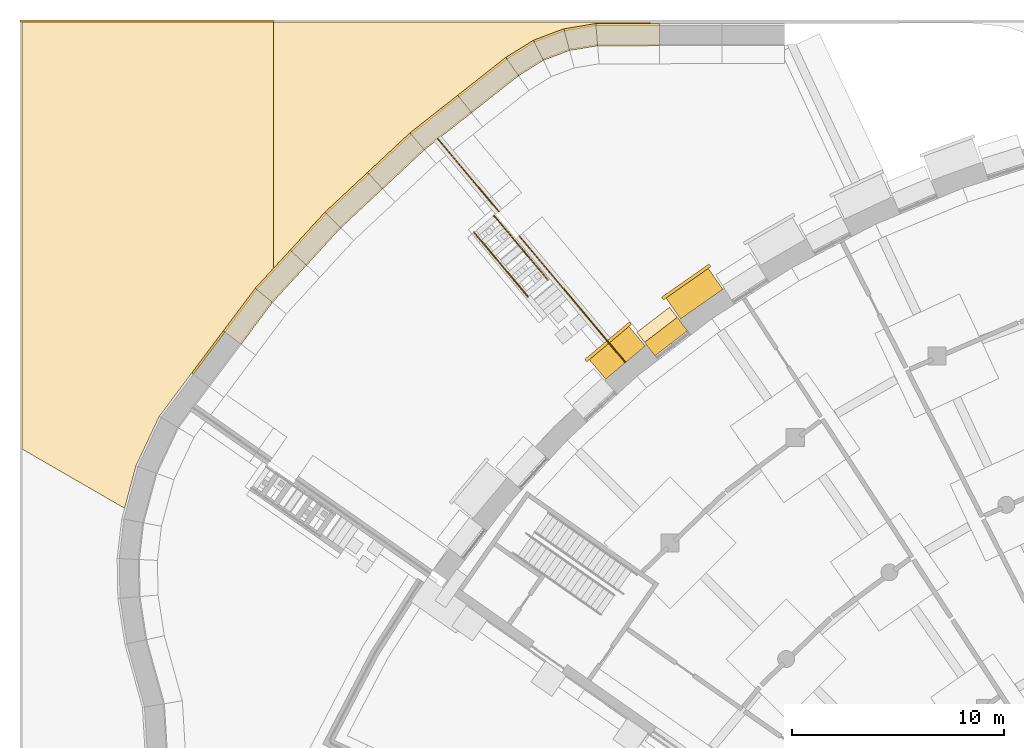
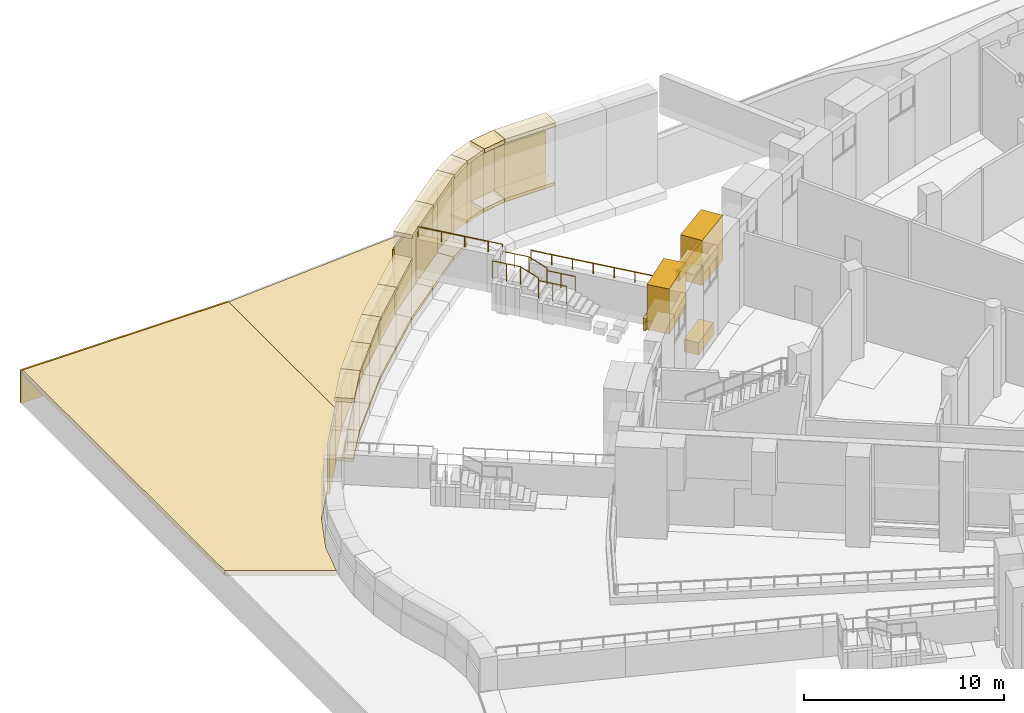
# One storey, part 62 of 65: 43 coverings, 5 railings.
"""IFC4 building model written with IfcOpenShell, lengths in metres."""

from ifc_helpers import new_model, si_unit, direction, frame, origin, origin_2d, place, context, subcontext, project, spatial, polyline, rectangle, circle, outline, extrude, material, layer, layer_set, type_object, element, save


model = new_model("IFC4")

# Units and contexts
model_context = context("Model", 3, precision=1e-05, world=origin(), true_north=direction((0.0, 1.0)))
body_context = subcontext(model_context, "Body", "Model", "MODEL_VIEW")
ifc_project = project(units=[si_unit("LENGTHUNIT", "METRE"), si_unit("AREAUNIT", "SQUARE_METRE"), si_unit("VOLUMEUNIT", "CUBIC_METRE"), si_unit("PLANEANGLEUNIT", "RADIAN"), si_unit("MASSUNIT", "GRAM", prefix="KILO")], contexts=[model_context])

# Site, building, storey
site_placement = place(None, origin())
site = spatial("IfcSite", under=ifc_project, at=site_placement, CompositionType="ELEMENT")
building_placement = place(site_placement, origin())
building = spatial("IfcBuilding", under=site, at=building_placement, Name="Volute Hill Aquarium", CompositionType="ELEMENT")
storey_placement = place(building_placement, frame((0.0, 0.0, -5.5)))
storey = spatial("IfcBuildingStorey", under=building, at=storey_placement, Name="L00", CompositionType="ELEMENT", Elevation=-5.5)

# Coverings
ifc_material_1 = material(Name="Blue limestone", Category="masonry")
covering_type_1 = type_object("IfcCoveringType", Name="Bluestone plinth block 275x750", PredefinedType="CLADDING", material=ifc_material_1)
covering_1_placement = place(storey_placement, frame((-31.4736328125, 41.01708984375, 0.0), z_axis=(0.0, 0.0, 1.0), x_axis=(-0.793350035535, -0.608765735827, 0.0)))
element("IfcCovering", 1, at=covering_1_placement, inside=storey, type_object=covering_type_1, Name="Bluestone plinth BPN S6 L00 7", PredefinedType="CLADDING", context=body_context, shape_type="SweptSolid", body=[
    extrude(rectangle(XDim=1.933837890625, YDim=0.800048828125, at=origin_2d()), origin(), (0.0, 0.0, 1.0), 0.75),
])
ifc_material_2 = material(Name="Blue limestone", Category="masonry")
ifc_layer_1 = layer(ifc_material_2, 0.14990234375)
ifc_layer_set_1 = layer_set([ifc_layer_1], Name="Bluestone plinth plate 150x750")
covering_type_2 = type_object("IfcCoveringType", Name="Bluestone plinth plate 150x750", PredefinedType="CLADDING", material=ifc_layer_set_1)
for number, where, z_axis, x_axis, name in (
    (2, (-30.52490234375, 43.59423828125, 2.75), (0.0, 0.0, 1.0), (-0.819152044289, -0.573576436351, 0.0), "Bluestone plinth BP S6 L00 6"),
    (3, (-34.208251953125, 40.767822265625, 2.75), (0.0, 0.0, 1.0), (-0.766044443119, -0.642787609687, 0.0), "Bluestone plinth BP S6 L00 7"),
):
    element("IfcCovering", number, at=place(storey_placement, frame(where, z_axis=z_axis, x_axis=x_axis)), inside=storey, type_object=covering_type_2, Name=name, PredefinedType="CLADDING", context=body_context, shape_type="SweptSolid", body=[
        extrude(rectangle(XDim=2.7353515625, YDim=0.14990234375, at=origin_2d()), origin(), (0.0, 0.0, 1.0), 0.75),
    ])
ifc_material_3 = material(Name="Aluminium, anodised", Category="aluminium")
ifc_layer_2 = layer(ifc_material_3, 0.080078125)
ifc_layer_set_2 = layer_set([ifc_layer_2], Name="Horizontal brise-soleil eyebrow 1200x80")
covering_type_3 = type_object("IfcCoveringType", Name="Horizontal brise-soleil eyebrow 1200x80", PredefinedType="CLADDING", material=ifc_layer_set_2)
covering_2_placement = place(storey_placement, frame((-31.717041015625, 41.33447265625, 4.760009765625), z_axis=(0.0, 0.0, 1.0), x_axis=(-0.793350035535, -0.608765735827, 0.0)))
element("IfcCovering", 4, at=covering_2_placement, inside=storey, type_object=covering_type_3, Name="Brise-soleil eyebrow BS S6 L00 7.1", PredefinedType="CLADDING", context=body_context, shape_type="SweptSolid", body=[
    extrude(rectangle(XDim=1.933837890625, YDim=1.199951171875, at=origin_2d()), origin(), (0.0, 0.0, 1.0), 0.080078125),
])
ifc_material_4 = material(Name="Planting soil and turf")
ifc_layer_3 = layer(ifc_material_4, 0.300048828125)
ifc_layer_set_3 = layer_set([ifc_layer_3], Name="Planted ground soil and turf build-up 300")
covering_type_4 = type_object("IfcCoveringType", Name="Planted ground soil and turf build-up 300", PredefinedType="CLADDING", material=ifc_layer_set_3)
covering_3_placement = place(storey_placement, frame((-50.0, 44.2265625, 0.0), z_axis=(0.0, 0.0, 1.0), x_axis=(0.0, 1.0, 0.0)))
element("IfcCovering", 5, at=covering_3_placement, inside=storey, type_object=covering_type_4, Name="tn/04/L00/0", PredefinedType="CLADDING", context=body_context, shape_type="SweptSolid", body=[
    extrude(outline(polyline([(0.0, 0.0), (11.62353515625, 0.0), (11.62353515625, 11.85009765625), (-8.517333984375, 11.85009765625), (-11.3076171875, 7.017578125), (-9.304443359375, 6.479248046875), (-6.971923828125, 5.378173828125), (-0.929443359375, 0.8515625), (0.0, 0.0)])), origin(), (0.0, 0.0, -1.0), 0.300048828125),
])
covering_4_placement = place(storey_placement, frame((-36.300537109375, 55.533203125, 0.8662109375), z_axis=(-0.063091480503, 1.6957877e-05, 0.998007747866), x_axis=(0.98471201011, 0.162688105003, 0.062248193839)))
element("IfcCovering", 6, at=covering_4_placement, inside=storey, type_object=covering_type_4, Name="tn/14/L00/0", PredefinedType="CLADDING", context=body_context, shape_type="SweptSolid", body=[
    extrude(outline(polyline([(0.0, 0.0), (1.5351820658712092, -3.1008182133085427e-17), (4.08732660820884, -0.41833540576424477), (4.060917655166976, -0.34841014015871724), (-13.492390736019685, 2.545863159051549), (-15.38340164402209, -8.922817987250458), (-12.541641216528868, -6.696048748547265), (-7.972928902443584, -3.6610979362304397), (-2.925195019414571, -0.8862544442552699), (-1.5022903151375822, -0.29814142745613115), (0.0, 0.0)])), origin(), (0.0, 0.0, -1.0), 0.300048828125),
])
ifc_material_5 = material(Name="Precast concrete C40/50", Category="concrete")
ifc_layer_4 = layer(ifc_material_5, 0.25)
ifc_layer_set_4 = layer_set([ifc_layer_4], Name="Plinth coping precast concrete C40/50 1000")
covering_type_5 = type_object("IfcCoveringType", Name="Plinth coping precast concrete C40/50 1000", PredefinedType="CLADDING", material=ifc_layer_set_4)
covering_5_placement = place(storey_placement, frame((0.0, 0.0, 4.97509765625)))
element("IfcCovering", 7, at=covering_5_placement, inside=storey, type_object=covering_type_5, Name="cp/E77FA3/L00/5", PredefinedType="CLADDING", context=body_context, shape_type="SweptSolid", body=[
    extrude(outline(polyline([(-34.78466796875, 55.73291015625), (-34.78466796875, 55.73291015625), (-34.7021484375, 54.73291015625), (-34.7021484375, 54.73291015625), (-31.793701171875, 54.73583984375), (-31.794677734375, 55.73583984375), (-34.78466796875, 55.73291015625)])), origin(), (0.0, 0.0, 1.0), 0.25),
])
covering_6_placement = place(storey_placement, frame((0.0, 0.0, 4.97509765625)))
element("IfcCovering", 8, at=covering_6_placement, inside=storey, type_object=covering_type_5, Name="cp/E78FA3/L00/0", PredefinedType="CLADDING", context=body_context, shape_type="SweptSolid", body=[
    extrude(outline(polyline([(-34.78466796875, 55.73291015625), (-36.28759765625, 55.48486328125), (-36.02734375, 54.51416015625), (-34.7021484375, 54.73291015625), (-34.78466796875, 55.73291015625)])), origin(), (0.0, 0.0, 1.0), 0.25),
])
covering_7_placement = place(storey_placement, frame((0.0, 0.0, 4.97509765625)))
element("IfcCovering", 9, at=covering_7_placement, inside=storey, type_object=covering_type_5, Name="cp/E79FA3/L00/0", PredefinedType="CLADDING", context=body_context, shape_type="SweptSolid", body=[
    extrude(outline(polyline([(-37.709228515625, 54.94970703125), (-37.709228515625, 54.94970703125), (-37.2646484375, 54.048583984375), (-36.02734375, 54.51416015625), (-36.02734375, 54.51416015625), (-36.28759765625, 55.48486328125), (-36.28759765625, 55.48486328125), (-37.709228515625, 54.94970703125)])), origin(), (0.0, 0.0, 1.0), 0.25),
])
covering_8_placement = place(storey_placement, frame((0.0, 0.0, 4.97509765625)))
element("IfcCovering", 10, at=covering_8_placement, inside=storey, type_object=covering_type_5, Name="cp/E80FA3/L00/0", PredefinedType="CLADDING", context=body_context, shape_type="SweptSolid", body=[
    extrude(outline(polyline([(-37.709228515625, 54.94970703125), (-39.00830078125, 54.141845703125), (-38.43310546875, 53.322021484375), (-38.43310546875, 53.322021484375), (-37.2646484375, 54.048583984375), (-37.2646484375, 54.048583984375), (-37.709228515625, 54.94970703125)])), origin(), (0.0, 0.0, 1.0), 0.25),
])
covering_9_placement = place(storey_placement, frame((0.0, 0.0, 4.97509765625)))
element("IfcCovering", 11, at=covering_9_placement, inside=storey, type_object=covering_type_5, Name="cp/E81FA3/L00/0", PredefinedType="CLADDING", context=body_context, shape_type="SweptSolid", body=[
    extrude(outline(polyline([(-39.00830078125, 54.141845703125), (-41.26904296875, 52.36181640625), (-40.650390625, 51.575927734375), (-38.43310546875, 53.322021484375), (-39.00830078125, 54.141845703125), (-39.00830078125, 54.141845703125)])), origin(), (0.0, 0.0, 1.0), 0.25),
])
covering_10_placement = place(storey_placement, frame((0.0, 0.0, 4.97509765625)))
element("IfcCovering", 12, at=covering_10_placement, inside=storey, type_object=covering_type_5, Name="cp/E81FA3/L00/1", PredefinedType="CLADDING", context=body_context, shape_type="SweptSolid", body=[
    extrude(outline(polyline([(-41.26904296875, 52.36181640625), (-43.5244140625, 50.585693359375), (-42.873046875, 49.825927734375), (-40.650390625, 51.575927734375), (-41.26904296875, 52.36181640625)])), origin(), (0.0, 0.0, 1.0), 0.25),
])
covering_11_placement = place(storey_placement, frame((0.0, 0.0, 3.60009765625)))
element("IfcCovering", 13, at=covering_11_placement, inside=storey, type_object=covering_type_5, Name="cp/E82FA2/L00/0", PredefinedType="CLADDING", context=body_context, shape_type="SweptSolid", body=[
    extrude(outline(polyline([(-43.5244140625, 50.585693359375), (-45.526611328125, 48.7177734375), (-44.844482421875, 47.986572265625), (-42.873046875, 49.825927734375), (-42.873046875, 49.825927734375), (-43.5244140625, 50.585693359375), (-43.5244140625, 50.585693359375)])), origin(), (0.0, 0.0, 1.0), 0.25),
])
covering_12_placement = place(storey_placement, frame((0.0, 0.0, 3.60009765625)))
element("IfcCovering", 14, at=covering_12_placement, inside=storey, type_object=covering_type_5, Name="cp/E82FA2/L00/1", PredefinedType="CLADDING", context=body_context, shape_type="SweptSolid", body=[
    extrude(outline(polyline([(-47.527587890625, 46.850830078125), (-47.527587890625, 46.850830078125), (-46.81689453125, 46.146240234375), (-46.81689453125, 46.146240234375), (-44.844482421875, 47.986572265625), (-45.526611328125, 48.7177734375), (-47.527587890625, 46.850830078125)])), origin(), (0.0, 0.0, 1.0), 0.25),
])
covering_13_placement = place(storey_placement, frame((0.0, 0.0, 3.60009765625)))
element("IfcCovering", 15, at=covering_13_placement, inside=storey, type_object=covering_type_5, Name="cp/E83FA2/L00/0", PredefinedType="CLADDING", context=body_context, shape_type="SweptSolid", body=[
    extrude(outline(polyline([(-47.527587890625, 46.850830078125), (-49.168701171875, 45.059814453125), (-48.431396484375, 44.38427734375), (-46.81689453125, 46.146240234375), (-47.527587890625, 46.850830078125)])), origin(), (0.0, 0.0, 1.0), 0.25),
])
covering_14_placement = place(storey_placement, frame((0.0, 0.0, 3.60009765625)))
element("IfcCovering", 16, at=covering_14_placement, inside=storey, type_object=covering_type_5, Name="cp/E83FA2/L00/1", PredefinedType="CLADDING", context=body_context, shape_type="SweptSolid", body=[
    extrude(outline(polyline([(-49.168701171875, 45.059814453125), (-50.81298828125, 43.265380859375), (-50.04248046875, 42.626220703125), (-48.431396484375, 44.38427734375), (-49.168701171875, 45.059814453125)])), origin(), (0.0, 0.0, 1.0), 0.25),
])
covering_15_placement = place(storey_placement, frame((0.0, 0.0, 3.60009765625)))
element("IfcCovering", 17, at=covering_15_placement, inside=storey, type_object=covering_type_5, Name="cp/E84FA2/L00/0", PredefinedType="CLADDING", context=body_context, shape_type="SweptSolid", body=[
    extrude(outline(polyline([(-50.81298828125, 43.265380859375), (-52.320068359375, 41.25341796875), (-51.519775390625, 40.65380859375), (-50.04248046875, 42.626220703125), (-50.81298828125, 43.265380859375)])), origin(), (0.0, 0.0, 1.0), 0.25),
])
ifc_material_6 = material(Name="Precast concrete C40/50", Category="concrete")
ifc_layer_5 = layer(ifc_material_6, 0.199951171875)
ifc_layer_set_5 = layer_set([ifc_layer_5], Name="Plinth grade course precast concrete C40/50 1100")
covering_type_6 = type_object("IfcCoveringType", Name="Plinth grade course precast concrete C40/50 1100", PredefinedType="CLADDING", material=ifc_layer_set_5)
covering_16_placement = place(storey_placement, frame((0.0, 0.0, 1.375)))
element("IfcCovering", 18, at=covering_16_placement, inside=storey, type_object=covering_type_6, Name="gc/E77FA3/L00/5", PredefinedType="CLADDING", context=body_context, shape_type="SweptSolid", body=[
    extrude(outline(polyline([(-34.788818359375, 55.782958984375), (-34.788818359375, 55.782958984375), (-34.706298828125, 54.782958984375), (-34.706298828125, 54.782958984375), (-31.793701171875, 54.785888671875), (-31.794677734375, 55.785888671875), (-34.788818359375, 55.782958984375)])), origin(), (0.0, 0.0, 1.0), 0.199951171875),
])
covering_17_placement = place(storey_placement, frame((0.0, 0.0, 1.375)))
element("IfcCovering", 19, at=covering_17_placement, inside=storey, type_object=covering_type_6, Name="gc/E78FA3/L00/0", PredefinedType="CLADDING", context=body_context, shape_type="SweptSolid", body=[
    extrude(outline(polyline([(-34.788818359375, 55.782958984375), (-36.300537109375, 55.533203125), (-36.04052734375, 54.562744140625), (-36.04052734375, 54.562744140625), (-34.706298828125, 54.782958984375), (-34.788818359375, 55.782958984375)])), origin(), (0.0, 0.0, 1.0), 0.199951171875),
])
covering_18_placement = place(storey_placement, frame((0.0, 0.0, 1.375)))
element("IfcCovering", 20, at=covering_18_placement, inside=storey, type_object=covering_type_6, Name="gc/E79FA3/L00/0", PredefinedType="CLADDING", context=body_context, shape_type="SweptSolid", body=[
    extrude(outline(polyline([(-36.300537109375, 55.533203125), (-37.7314453125, 54.99462890625), (-37.286865234375, 54.093505859375), (-36.04052734375, 54.562744140625), (-36.300537109375, 55.533203125), (-36.300537109375, 55.533203125)])), origin(), (0.0, 0.0, 1.0), 0.199951171875),
])
covering_19_placement = place(storey_placement, origin())
element("IfcCovering", 21, at=covering_19_placement, inside=storey, type_object=covering_type_6, Name="gc/E80FA3/L00/0", PredefinedType="CLADDING", context=body_context, shape_type="SweptSolid", body=[
    extrude(outline(polyline([(-37.7314453125, 54.99462890625), (-39.037109375, 54.182861328125), (-38.4619140625, 53.36279296875), (-38.4619140625, 53.36279296875), (-37.286865234375, 54.093505859375), (-37.286865234375, 54.093505859375), (-37.7314453125, 54.99462890625), (-37.7314453125, 54.99462890625)])), origin(), (0.0, 0.0, 1.0), 0.199951171875),
])
covering_20_placement = place(storey_placement, origin())
element("IfcCovering", 22, at=covering_20_placement, inside=storey, type_object=covering_type_6, Name="gc/E81FA3/L00/0", PredefinedType="CLADDING", context=body_context, shape_type="SweptSolid", body=[
    extrude(outline(polyline([(-39.037109375, 54.182861328125), (-41.300048828125, 52.40087890625), (-40.681396484375, 51.615234375), (-38.4619140625, 53.36279296875), (-39.037109375, 54.182861328125), (-39.037109375, 54.182861328125)])), origin(), (0.0, 0.0, 1.0), 0.199951171875),
])
covering_21_placement = place(storey_placement, origin())
element("IfcCovering", 23, at=covering_21_placement, inside=storey, type_object=covering_type_6, Name="gc/E81FA3/L00/1", PredefinedType="CLADDING", context=body_context, shape_type="SweptSolid", body=[
    extrude(outline(polyline([(-41.300048828125, 52.40087890625), (-43.55712890625, 50.623779296875), (-42.905517578125, 49.864013671875), (-40.681396484375, 51.615234375), (-41.300048828125, 52.40087890625)])), origin(), (0.0, 0.0, 1.0), 0.199951171875),
])
covering_22_placement = place(storey_placement, origin())
element("IfcCovering", 24, at=covering_22_placement, inside=storey, type_object=covering_type_6, Name="gc/E82FA2/L00/0", PredefinedType="CLADDING", context=body_context, shape_type="SweptSolid", body=[
    extrude(outline(polyline([(-43.55712890625, 50.623779296875), (-45.560791015625, 48.75439453125), (-44.87841796875, 48.023193359375), (-42.905517578125, 49.864013671875), (-42.905517578125, 49.864013671875), (-43.55712890625, 50.623779296875)])), origin(), (0.0, 0.0, 1.0), 0.199951171875),
])
covering_23_placement = place(storey_placement, origin())
element("IfcCovering", 25, at=covering_23_placement, inside=storey, type_object=covering_type_6, Name="gc/E82FA2/L00/1", PredefinedType="CLADDING", context=body_context, shape_type="SweptSolid", body=[
    extrude(outline(polyline([(-45.560791015625, 48.75439453125), (-47.563232421875, 46.885986328125), (-46.852294921875, 46.181396484375), (-46.852294921875, 46.181396484375), (-44.87841796875, 48.023193359375), (-45.560791015625, 48.75439453125)])), origin(), (0.0, 0.0, 1.0), 0.199951171875),
])
covering_24_placement = place(storey_placement, origin())
element("IfcCovering", 26, at=covering_24_placement, inside=storey, type_object=covering_type_6, Name="gc/E83FA2/L00/0", PredefinedType="CLADDING", context=body_context, shape_type="SweptSolid", body=[
    extrude(outline(polyline([(-47.563232421875, 46.885986328125), (-49.20556640625, 45.09375), (-48.46826171875, 44.41796875), (-46.852294921875, 46.181396484375), (-47.563232421875, 46.885986328125)])), origin(), (0.0, 0.0, 1.0), 0.199951171875),
])
covering_25_placement = place(storey_placement, origin())
element("IfcCovering", 27, at=covering_25_placement, inside=storey, type_object=covering_type_6, Name="gc/E83FA2/L00/1", PredefinedType="CLADDING", context=body_context, shape_type="SweptSolid", body=[
    extrude(outline(polyline([(-49.20556640625, 45.09375), (-50.8515625, 43.297119140625), (-50.080810546875, 42.658203125), (-48.46826171875, 44.41796875), (-49.20556640625, 45.09375)])), origin(), (0.0, 0.0, 1.0), 0.199951171875),
])
covering_26_placement = place(storey_placement, origin())
element("IfcCovering", 28, at=covering_26_placement, inside=storey, type_object=covering_type_6, Name="gc/E84FA2/L00/0", PredefinedType="CLADDING", context=body_context, shape_type="SweptSolid", body=[
    extrude(outline(polyline([(-50.8515625, 43.297119140625), (-52.360107421875, 41.283447265625), (-51.559814453125, 40.683837890625), (-50.080810546875, 42.658203125), (-50.080810546875, 42.658203125), (-50.8515625, 43.297119140625), (-50.8515625, 43.297119140625)])), origin(), (0.0, 0.0, 1.0), 0.199951171875),
])
ifc_material_7 = material(Name="Precast concrete C40/50", Category="concrete")
covering_type_7 = type_object("IfcCoveringType", Name="Projecting pier precast concrete C40/50 2435x1200", PredefinedType="CLADDING", material=ifc_material_7)
for number, where, z_axis, x_axis, name in (
    (29, (-30.1376953125, 43.041259765625, 2.75), (0.0, 0.0, 1.0), (-0.819152044289, -0.573576436351, 0.0), "Projecting pier PP S6 L00 6"),
    (30, (-33.7744140625, 40.250732421875, 2.75), (0.0, 0.0, 1.0), (-0.766044443119, -0.642787609687, 0.0), "Projecting pier PP S6 L00 7"),
):
    element("IfcCovering", number, at=place(storey_placement, frame(where, z_axis=z_axis, x_axis=x_axis)), inside=storey, type_object=covering_type_7, Name=name, PredefinedType="CLADDING", context=body_context, shape_type="SweptSolid", body=[
        extrude(rectangle(XDim=2.435302734375, YDim=1.199951171875, at=origin_2d()), origin(), (0.0, 0.0, 1.0), 2.75),
    ])
ifc_material_8 = material(Name="Precast concrete C40/50", Category="concrete")
ifc_layer_6 = layer(ifc_material_8, 0.10009765625)
ifc_layer_set_6 = layer_set([ifc_layer_6], Name="Retained ground face precast concrete C40/50 100")
covering_type_8 = type_object("IfcCoveringType", Name="Retained ground face precast concrete C40/50 100", PredefinedType="CLADDING", material=ifc_layer_set_6)
covering_27_placement = place(storey_placement, frame((0.0, 0.0, 0.614501953125)))
element("IfcCovering", 31, at=covering_27_placement, inside=storey, type_object=covering_type_8, Name="tg/E77FA3/L00/5", PredefinedType="CLADDING", context=body_context, shape_type="SweptSolid", body=[
    extrude(outline(polyline([(-34.788818359375, 55.782958984375), (-34.788818359375, 55.782958984375), (-34.780517578125, 55.682861328125), (-34.780517578125, 55.682861328125), (-31.794677734375, 55.685791015625), (-31.794677734375, 55.785888671875), (-34.788818359375, 55.782958984375)])), origin(), (0.0, 0.0, 1.0), 3.510498046875),
])
covering_28_placement = place(storey_placement, frame((0.0, 0.0, 0.525146484375)))
element("IfcCovering", 32, at=covering_28_placement, inside=storey, type_object=covering_type_8, Name="tg/E78FA3/L00/0", PredefinedType="CLADDING", context=body_context, shape_type="SweptSolid", body=[
    extrude(outline(polyline([(-34.788818359375, 55.782958984375), (-36.300537109375, 55.533203125), (-36.2744140625, 55.436279296875), (-34.780517578125, 55.682861328125), (-34.788818359375, 55.782958984375)])), origin(), (0.0, 0.0, 1.0), 3.599853515625),
])
covering_29_placement = place(storey_placement, frame((0.0, 0.0, 0.441162109375)))
element("IfcCovering", 33, at=covering_29_placement, inside=storey, type_object=covering_type_8, Name="tg/E79FA3/L00/0", PredefinedType="CLADDING", context=body_context, shape_type="SweptSolid", body=[
    extrude(outline(polyline([(-36.300537109375, 55.533203125), (-37.7314453125, 54.99462890625), (-37.68701171875, 54.904541015625), (-36.2744140625, 55.436279296875), (-36.2744140625, 55.436279296875), (-36.300537109375, 55.533203125), (-36.300537109375, 55.533203125)])), origin(), (0.0, 0.0, 1.0), 3.683837890625),
])
covering_30_placement = place(storey_placement, frame((0.0, 0.0, 0.363037109375)))
element("IfcCovering", 34, at=covering_30_placement, inside=storey, type_object=covering_type_8, Name="tg/E80FA3/L00/0", PredefinedType="CLADDING", context=body_context, shape_type="SweptSolid", body=[
    extrude(outline(polyline([(-37.7314453125, 54.99462890625), (-39.037109375, 54.182861328125), (-38.9794921875, 54.100830078125), (-37.68701171875, 54.904541015625), (-37.7314453125, 54.99462890625), (-37.7314453125, 54.99462890625)])), origin(), (0.0, 0.0, 1.0), 3.761962890625),
])
covering_31_placement = place(storey_placement, frame((0.0, 0.0, 0.221435546875)))
element("IfcCovering", 35, at=covering_31_placement, inside=storey, type_object=covering_type_8, Name="tg/E81FA3/L00/0", PredefinedType="CLADDING", context=body_context, shape_type="SweptSolid", body=[
    extrude(outline(polyline([(-39.037109375, 54.182861328125), (-41.300048828125, 52.40087890625), (-41.238037109375, 52.322509765625), (-38.9794921875, 54.100830078125), (-39.037109375, 54.182861328125), (-39.037109375, 54.182861328125)])), origin(), (0.0, 0.0, 1.0), 3.903564453125),
])
covering_32_placement = place(storey_placement, frame((0.0, 0.0, 0.080078125)))
element("IfcCovering", 36, at=covering_32_placement, inside=storey, type_object=covering_type_8, Name="tg/E81FA3/L00/1", PredefinedType="CLADDING", context=body_context, shape_type="SweptSolid", body=[
    extrude(outline(polyline([(-41.300048828125, 52.40087890625), (-43.55712890625, 50.623779296875), (-43.491943359375, 50.5478515625), (-41.238037109375, 52.322509765625), (-41.300048828125, 52.40087890625)])), origin(), (0.0, 0.0, 1.0), 4.044921875),
])
covering_33_placement = place(storey_placement, frame((0.0, 0.0, -0.045654296875)))
element("IfcCovering", 37, at=covering_33_placement, inside=storey, type_object=covering_type_8, Name="tg/E82FA2/L00/0", PredefinedType="CLADDING", context=body_context, shape_type="SweptSolid", body=[
    extrude(outline(polyline([(-43.55712890625, 50.623779296875), (-45.560791015625, 48.75439453125), (-45.492431640625, 48.68115234375), (-43.491943359375, 50.5478515625), (-43.491943359375, 50.5478515625), (-43.55712890625, 50.623779296875)])), origin(), (0.0, 0.0, 1.0), 2.795654296875),
])
covering_34_placement = place(storey_placement, frame((0.0, 0.0, -0.171142578125)))
element("IfcCovering", 38, at=covering_34_placement, inside=storey, type_object=covering_type_8, Name="tg/E82FA2/L00/1", PredefinedType="CLADDING", context=body_context, shape_type="SweptSolid", body=[
    extrude(outline(polyline([(-45.560791015625, 48.75439453125), (-47.563232421875, 46.885986328125), (-47.4921875, 46.8154296875), (-47.4921875, 46.8154296875), (-45.492431640625, 48.68115234375), (-45.560791015625, 48.75439453125)])), origin(), (0.0, 0.0, 1.0), 2.921142578125),
])
covering_35_placement = place(storey_placement, frame((0.0, 0.0, -0.274169921875)))
element("IfcCovering", 39, at=covering_35_placement, inside=storey, type_object=covering_type_8, Name="tg/E83FA2/L00/0", PredefinedType="CLADDING", context=body_context, shape_type="SweptSolid", body=[
    extrude(outline(polyline([(-47.563232421875, 46.885986328125), (-49.20556640625, 45.09375), (-49.1318359375, 45.026123046875), (-47.4921875, 46.8154296875), (-47.563232421875, 46.885986328125)])), origin(), (0.0, 0.0, 1.0), 3.024169921875),
])
covering_36_placement = place(storey_placement, frame((0.0, 0.0, -0.35009765625)))
element("IfcCovering", 40, at=covering_36_placement, inside=storey, type_object=covering_type_8, Name="tg/E83FA2/L00/1", PredefinedType="CLADDING", context=body_context, shape_type="SweptSolid", body=[
    extrude(outline(polyline([(-49.20556640625, 45.09375), (-50.8515625, 43.297119140625), (-50.7744140625, 43.2333984375), (-50.7744140625, 43.2333984375), (-49.1318359375, 45.026123046875), (-49.20556640625, 45.09375)])), origin(), (0.0, 0.0, 1.0), 3.10009765625),
])
covering_37_placement = place(storey_placement, frame((0.0, 0.0, -0.35009765625)))
element("IfcCovering", 41, at=covering_37_placement, inside=storey, type_object=covering_type_8, Name="tg/E84FA2/L00/0", PredefinedType="CLADDING", context=body_context, shape_type="SweptSolid", body=[
    extrude(outline(polyline([(-50.8515625, 43.297119140625), (-52.360107421875, 41.283447265625), (-52.280029296875, 41.223388671875), (-50.7744140625, 43.2333984375), (-50.8515625, 43.297119140625), (-50.8515625, 43.297119140625)])), origin(), (0.0, 0.0, 1.0), 3.10009765625),
])
covering_38_placement = place(storey_placement, frame((0.0, 0.0, -0.35009765625)))
element("IfcCovering", 42, at=covering_38_placement, inside=storey, type_object=covering_type_8, Name="tg/E84FA2/L00/1", PredefinedType="CLADDING", context=body_context, shape_type="SweptSolid", body=[
    extrude(outline(polyline([(-52.360107421875, 41.283447265625), (-53.852294921875, 39.291259765625), (-53.7724609375, 39.2314453125), (-52.280029296875, 41.223388671875), (-52.360107421875, 41.283447265625)])), origin(), (0.0, 0.0, 1.0), 3.10009765625),
])
covering_39_placement = place(storey_placement, frame((-50.0, 55.949951171875, -2.0), z_axis=(0.0, 1.0, 0.0), x_axis=(-1.0, 0.0, 0.0)))
element("IfcCovering", 43, at=covering_39_placement, inside=storey, type_object=covering_type_8, Name="tf/1/L00/0", PredefinedType="CLADDING", context=body_context, shape_type="SweptSolid", body=[
    extrude(outline(polyline([(0.0, 0.0), (11.949951171875, 0.0), (11.949951171875, 2.0), (0.0, 2.0), (0.0, 0.0)])), origin(), (0.0, 0.0, -1.0), 0.10009765625),
])

# Railings
ifc_material_9 = material(Name="Steel S355", Category="steel")
railing_type_1 = type_object("IfcRailingType", Name="Site guard 1100", PredefinedType="GUARDRAIL", material=ifc_material_9)
railing_1_placement = place(storey_placement, frame((-37.987060546875, 42.898681640625, 3.513916015625)))
element("IfcRailing", 44, at=railing_1_placement, inside=storey, type_object=railing_type_1, Name="gd/ST130/L00/1", PredefinedType="GUARDRAIL", context=body_context, shape_type="SweptSolid", body=[
    extrude(circle(Radius=0.02392578125, at=origin_2d()), frame((0.0, 0.0, 1.076171875), z_axis=(-0.642821801336, 0.766015751618, 0.0), x_axis=(-0.766015751618, -0.642821801336, 0.0)), (0.0, 0.0, 1.0), 1.500244140625),
    extrude(circle(Radius=0.02392578125, at=origin_2d()), frame((-0.96435546875, 1.149169921875, 1.076171875), z_axis=(0.0, 0.0, 1.0), x_axis=(1.0, 0.0, 0.0)), (0.0, 0.0, 1.0), 0.15283203125),
    extrude(circle(Radius=0.02392578125, at=origin_2d()), frame((-0.96435546875, 1.149169921875, 1.22900390625), z_axis=(-0.580023613294, 0.691345913431, 0.430828778058), x_axis=(-0.766090541004, -0.642732668366, 0.0)), (0.0, 0.0, 1.0), 1.063720703125),
    extrude(circle(Radius=0.02392578125, at=origin_2d()), frame((-1.581298828125, 1.884521484375, 1.68701171875), z_axis=(-0.64272629393, 0.766095888966, 0.0), x_axis=(-0.766095888966, -0.64272629393, 0.0)), (0.0, 0.0, 1.0), 1.5),
    extrude(circle(Radius=0.02099609375, at=origin_2d()), origin(), (0.0, 0.0, 1.0), 1.052001953125),
    extrude(circle(Radius=0.02099609375, at=origin_2d()), frame((-0.482177734375, 0.57470703125, 0.0)), (0.0, 0.0, 1.0), 1.052001953125),
    extrude(circle(Radius=0.02099609375, at=origin_2d()), frame((-0.96435546875, 1.149169921875, 0.0)), (0.0, 0.0, 1.0), 1.052001953125),
    extrude(circle(Radius=0.02099609375, at=origin_2d()), frame((-0.96435546875, 1.149169921875, 0.15283203125)), (0.0, 0.0, 1.0), 1.052001953125),
    extrude(circle(Radius=0.02099609375, at=origin_2d()), frame((-1.581298828125, 1.884521484375, 0.611083984375)), (0.0, 0.0, 1.0), 1.052001953125),
    extrude(circle(Radius=0.02099609375, at=origin_2d()), frame((-2.0634765625, 2.458984375, 0.611083984375)), (0.0, 0.0, 1.0), 1.052001953125),
    extrude(circle(Radius=0.02099609375, at=origin_2d()), frame((-2.54541015625, 3.03369140625, 0.611083984375)), (0.0, 0.0, 1.0), 1.052001953125),
])
railing_2_placement = place(storey_placement, frame((-33.425048828125, 39.834228515625, 4.574951171875)))
element("IfcRailing", 45, at=railing_2_placement, inside=storey, type_object=railing_type_1, Name="gd/RW130/L00/0", PredefinedType="GUARDRAIL", context=body_context, shape_type="SweptSolid", body=[
    extrude(circle(Radius=0.02392578125, at=origin_2d()), frame((0.0, 0.0, 0.6259765625), z_axis=(-0.642780693488, 0.766050246445, 0.0), x_axis=(-0.766050246445, -0.642780693488, 0.0)), (0.0, 0.0, 1.0), 7.739990234375),
    extrude(circle(Radius=0.02099609375, at=origin_2d()), origin(), (0.0, 0.0, 1.0), 0.601806640625),
    extrude(circle(Radius=0.02099609375, at=origin_2d()), frame((-0.710693359375, 0.846923828125, 0.0)), (0.0, 0.0, 1.0), 0.601806640625),
    extrude(circle(Radius=0.02099609375, at=origin_2d()), frame((-1.42138671875, 1.694091796875, 0.0)), (0.0, 0.0, 1.0), 0.601806640625),
    extrude(circle(Radius=0.02099609375, at=origin_2d()), frame((-2.132080078125, 2.541015625, 0.0)), (0.0, 0.0, 1.0), 0.601806640625),
    extrude(circle(Radius=0.02099609375, at=origin_2d()), frame((-2.843017578125, 3.38818359375, 0.0)), (0.0, 0.0, 1.0), 0.601806640625),
    extrude(circle(Radius=0.02099609375, at=origin_2d()), frame((-3.5537109375, 4.235107421875, 0.0)), (0.0, 0.0, 1.0), 0.601806640625),
    extrude(circle(Radius=0.02099609375, at=origin_2d()), frame((-4.264404296875, 5.082275390625, 0.0)), (0.0, 0.0, 1.0), 0.601806640625),
    extrude(circle(Radius=0.02099609375, at=origin_2d()), frame((-4.97509765625, 5.92919921875, 0.0)), (0.0, 0.0, 1.0), 0.601806640625),
])
railing_3_placement = place(storey_placement, frame((-39.3642578125, 46.91259765625, 4.574951171875)))
element("IfcRailing", 46, at=railing_3_placement, inside=storey, type_object=railing_type_1, Name="gd/RW130/L00/1", PredefinedType="GUARDRAIL", context=body_context, shape_type="SweptSolid", body=[
    extrude(circle(Radius=0.02392578125, at=origin_2d()), frame((0.0, 0.0, 0.6259765625), z_axis=(-0.642739991173, 0.766084397275, 0.0), x_axis=(-0.766084397275, -0.642739991173, 0.0)), (0.0, 0.0, 1.0), 0.760009765625),
    extrude(circle(Radius=0.02099609375, at=origin_2d()), origin(), (0.0, 0.0, 1.0), 0.601806640625),
    extrude(circle(Radius=0.02099609375, at=origin_2d()), frame((-0.488525390625, 0.582275390625, 0.0)), (0.0, 0.0, 1.0), 0.601806640625),
])
railing_4_placement = place(storey_placement, frame((-39.852783203125, 47.494873046875, 4.574951171875)))
element("IfcRailing", 47, at=railing_4_placement, inside=storey, type_object=railing_type_1, Name="gd/RW130/L00/2", PredefinedType="GUARDRAIL", context=body_context, shape_type="SweptSolid", body=[
    extrude(circle(Radius=0.02392578125, at=origin_2d()), frame((0.0, 0.0, 0.6259765625), z_axis=(-0.64282532448, 0.766012795068, 0.0), x_axis=(-0.766012795068, -0.64282532448, 0.0)), (0.0, 0.0, 1.0), 3.73193359375),
    extrude(circle(Radius=0.02099609375, at=origin_2d()), origin(), (0.0, 0.0, 1.0), 0.601806640625),
    extrude(circle(Radius=0.02099609375, at=origin_2d()), frame((-0.799560546875, 0.952880859375, 0.0)), (0.0, 0.0, 1.0), 0.601806640625),
    extrude(circle(Radius=0.02099609375, at=origin_2d()), frame((-1.599365234375, 1.90576171875, 0.0)), (0.0, 0.0, 1.0), 0.601806640625),
    extrude(circle(Radius=0.02099609375, at=origin_2d()), frame((-2.39892578125, 2.858642578125, 0.0)), (0.0, 0.0, 1.0), 0.601806640625),
])
ifc_material_10 = material(Name="Steel S355", Category="steel")
railing_type_2 = type_object("IfcRailingType", Name="Site handrail 900", PredefinedType="HANDRAIL", material=ifc_material_10)
railing_5_placement = place(storey_placement, frame((-37.048583984375, 43.686279296875, 3.513916015625)))
element("IfcRailing", 48, at=railing_5_placement, inside=storey, type_object=railing_type_2, Name="hr/ST130/L00/1", PredefinedType="HANDRAIL", context=body_context, shape_type="SweptSolid", body=[
    extrude(circle(Radius=0.02392578125, at=origin_2d()), frame((0.0, 0.0, 0.8759765625), z_axis=(-0.642901942727, 0.765948491765, 0.0), x_axis=(-0.765948491765, -0.642901942727, 0.0)), (0.0, 0.0, 1.0), 1.5),
    extrude(circle(Radius=0.02392578125, at=origin_2d()), frame((-0.96435546875, 1.14892578125, 0.8759765625), z_axis=(0.0, 0.0, 1.0), x_axis=(1.0, 0.0, 0.0)), (0.0, 0.0, 1.0), 0.15283203125),
    extrude(circle(Radius=0.02392578125, at=origin_2d()), frame((-0.96435546875, 1.14892578125, 1.02880859375), z_axis=(-0.579931578887, 0.691465709215, 0.430760416925), x_axis=(-0.76619558203, -0.642607446329, 0.0)), (0.0, 0.0, 1.0), 1.063720703125),
    extrude(circle(Radius=0.02392578125, at=origin_2d()), frame((-1.581298828125, 1.884521484375, 1.48681640625), z_axis=(-0.642806440183, 0.766028642062, 0.0), x_axis=(-0.766028642062, -0.642806440183, 0.0)), (0.0, 0.0, 1.0), 1.499755859375),
    extrude(circle(Radius=0.02099609375, at=origin_2d()), origin(), (0.0, 0.0, 1.0), 0.851806640625),
    extrude(circle(Radius=0.02099609375, at=origin_2d()), frame((-0.482177734375, 0.574462890625, 0.0)), (0.0, 0.0, 1.0), 0.851806640625),
    extrude(circle(Radius=0.02099609375, at=origin_2d()), frame((-0.96435546875, 1.14892578125, 0.0)), (0.0, 0.0, 1.0), 0.851806640625),
    extrude(circle(Radius=0.02099609375, at=origin_2d()), frame((-0.96435546875, 1.14892578125, 0.15283203125)), (0.0, 0.0, 1.0), 0.851806640625),
    extrude(circle(Radius=0.02099609375, at=origin_2d()), frame((-1.581298828125, 1.884521484375, 0.611083984375)), (0.0, 0.0, 1.0), 0.851806640625),
    extrude(circle(Radius=0.02099609375, at=origin_2d()), frame((-2.0634765625, 2.458984375, 0.611083984375)), (0.0, 0.0, 1.0), 0.851806640625),
    extrude(circle(Radius=0.02099609375, at=origin_2d()), frame((-2.54541015625, 3.033447265625, 0.611083984375)), (0.0, 0.0, 1.0), 0.851806640625),
])

save(model, "model.ifc")
